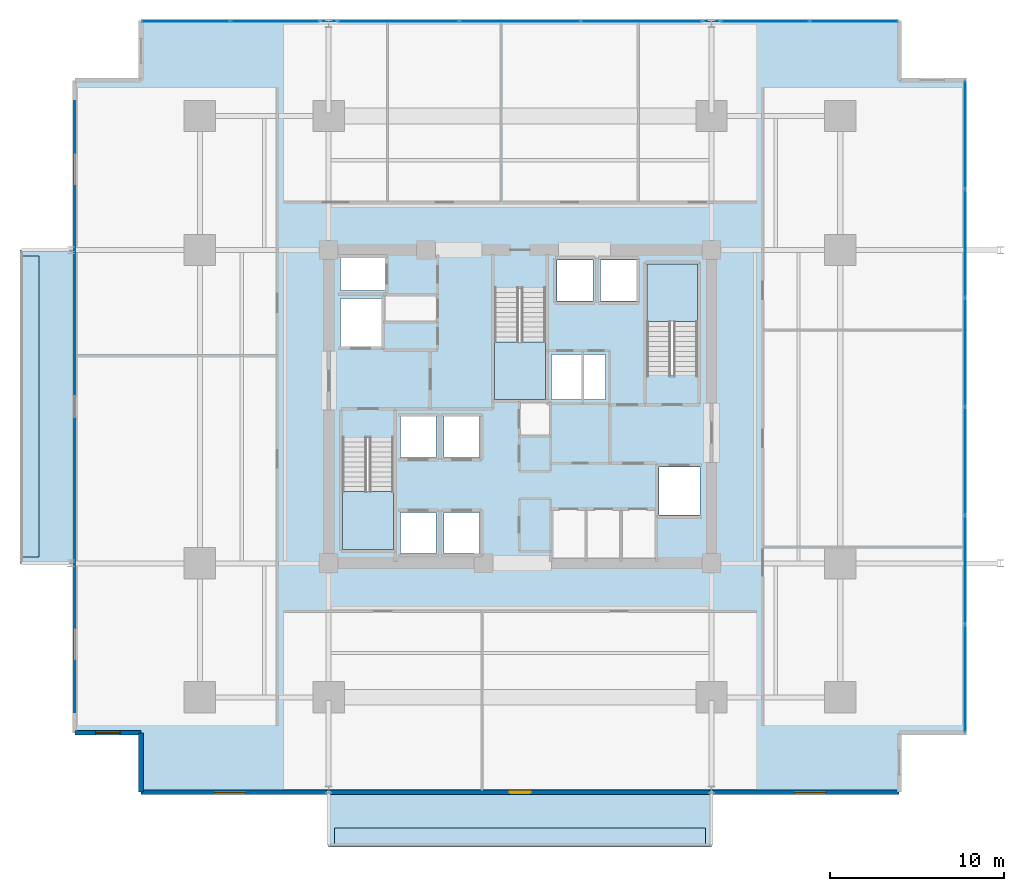
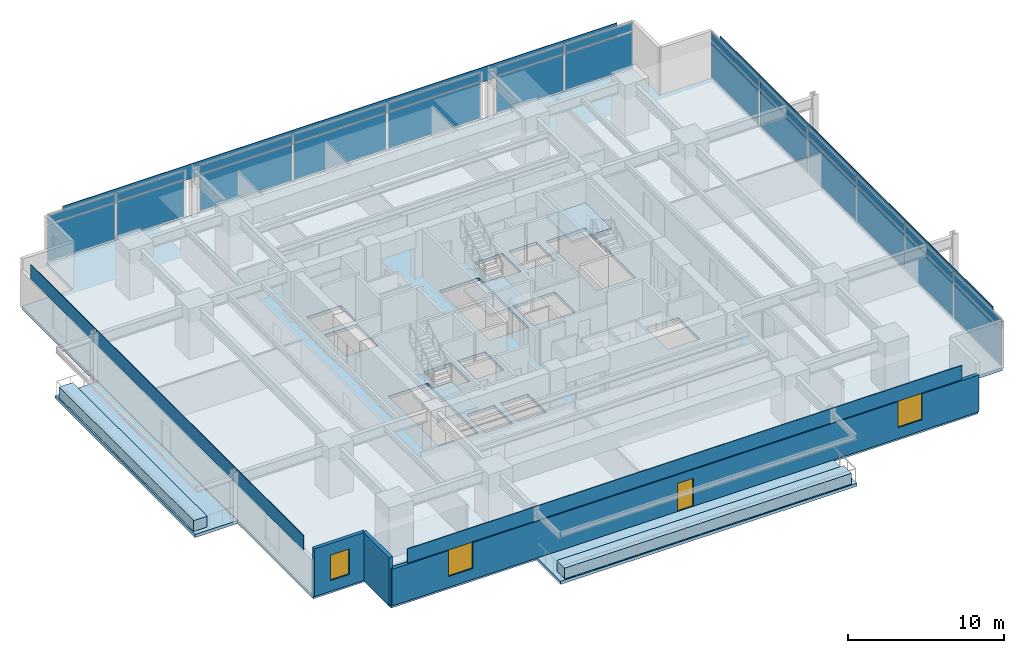
# One storey, part 13 of 22: 30 plates, 8 slabs, 3 walls, 3 windows, 1 door, 4 openings, 7 elements without a shape of their own.
"""IFC4 building model written with IfcOpenShell, lengths in metres."""

from ifc_helpers import new_model, si_unit, direction, frame, frame_2d, origin, origin_2d, place, context, subcontext, project, spatial, polyline, rectangle, outline, extrude, material, layer, layer_set, type_object, element, fill, aggregate, save


model = new_model("IFC4")

# Units and contexts
model_context = context("Model", 3, precision=1e-05, world=origin(), true_north=direction((0.0, 1.0)))
body_context = subcontext(model_context, "Body", "Model", "MODEL_VIEW")
ifc_project = project(units=[si_unit("LENGTHUNIT", "METRE"), si_unit("AREAUNIT", "SQUARE_METRE"), si_unit("VOLUMEUNIT", "CUBIC_METRE"), si_unit("PLANEANGLEUNIT", "RADIAN"), si_unit("MASSUNIT", "GRAM", prefix="KILO")], contexts=[model_context])

# Site, building, storey
site_placement = place(None, origin())
site = spatial("IfcSite", under=ifc_project, at=site_placement, CompositionType="ELEMENT")
building_placement = place(site_placement, origin())
building = spatial("IfcBuilding", under=site, at=building_placement, Name="Kovane Verandah Tower", CompositionType="ELEMENT")
storey_placement = place(building_placement, frame((0.0, 0.0, 51.60009765625)))
storey = spatial("IfcBuildingStorey", under=building, at=storey_placement, Name="L11", CompositionType="ELEMENT", Elevation=51.60009765625)

# Curtain wall, plates
ifc_material_1 = material(Name="Champagne Anodised Aluminium Frame with Low-E Clear Laminated Glass", Category="aluminium")
curtain_wall_type = type_object("IfcCurtainWallType", Name="CW-SYS-02-LOW", PredefinedType="NOTDEFINED", material=ifc_material_1)
curtain_wall_1_placement = place(storey_placement, origin())
curtain_wall_1 = element("IfcCurtainWall", 1, at=curtain_wall_1_placement, inside=storey, type_object=curtain_wall_type, Name="L11 E Unitised Curtain Wall", PredefinedType="NOTDEFINED")
ifc_material_2 = material(Name="Pale Champagne Anodised Aluminium Insulated Spandrel", Category="aluminium")
ifc_layer_1 = layer(ifc_material_2, 0.0400390625)
ifc_layer_set_1 = layer_set([ifc_layer_1], Name="Pale Champagne Anodised Aluminium Insulated Spandrel")
plate_type_1 = type_object("IfcPlateType", Name="PL-CW-SPD-40", PredefinedType="SHEET", material=ifc_layer_set_1)
plate_1_placement = place(storey_placement, frame((65.580322265625, 11.878173828125, 3.02978515625), z_axis=(0.0, 0.0, 1.0), x_axis=(0.0, 1.0, 0.0)))
plate_1 = element("IfcPlate", 2, at=plate_1_placement, type_object=plate_type_1, Name="L11 E Unitised Curtain Wall Spandrel Panel 1", PredefinedType="SHEET", context=body_context, shape_type="SweptSolid", body=[
    extrude(rectangle(XDim=6.108642578125, YDim=0.0400390625, at=origin_2d()), origin(), (0.0, 0.0, 1.0), 0.639892578125),
])
plate_2_placement = place(storey_placement, frame((65.580322265625, 18.126953125, 3.02978515625), z_axis=(0.0, 0.0, 1.0), x_axis=(0.0, 1.0, 0.0)))
plate_2 = element("IfcPlate", 3, at=plate_2_placement, type_object=plate_type_1, Name="L11 E Unitised Curtain Wall Spandrel Panel 2", PredefinedType="SHEET", context=body_context, shape_type="SweptSolid", body=[
    extrude(rectangle(XDim=6.108642578125, YDim=0.0400390625, at=origin_2d()), origin(), (0.0, 0.0, 1.0), 0.639892578125),
])
plate_3_placement = place(storey_placement, frame((65.580322265625, 24.37548828125, 3.02978515625), z_axis=(0.0, 0.0, 1.0), x_axis=(0.0, 1.0, 0.0)))
plate_3 = element("IfcPlate", 4, at=plate_3_placement, type_object=plate_type_1, Name="L11 E Unitised Curtain Wall Spandrel Panel 3", PredefinedType="SHEET", context=body_context, shape_type="SweptSolid", body=[
    extrude(rectangle(XDim=6.108642578125, YDim=0.0400390625, at=origin_2d()), origin(), (0.0, 0.0, 1.0), 0.639892578125),
])
plate_4_placement = place(storey_placement, frame((65.580322265625, 30.62451171875, 3.02978515625), z_axis=(0.0, 0.0, 1.0), x_axis=(0.0, 1.0, 0.0)))
plate_4 = element("IfcPlate", 5, at=plate_4_placement, type_object=plate_type_1, Name="L11 E Unitised Curtain Wall Spandrel Panel 4", PredefinedType="SHEET", context=body_context, shape_type="SweptSolid", body=[
    extrude(rectangle(XDim=6.108642578125, YDim=0.0400390625, at=origin_2d()), origin(), (0.0, 0.0, 1.0), 0.639892578125),
])
plate_5_placement = place(storey_placement, frame((65.580322265625, 36.873046875, 3.02978515625), z_axis=(0.0, 0.0, 1.0), x_axis=(0.0, 1.0, 0.0)))
plate_5 = element("IfcPlate", 6, at=plate_5_placement, type_object=plate_type_1, Name="L11 E Unitised Curtain Wall Spandrel Panel 5", PredefinedType="SHEET", context=body_context, shape_type="SweptSolid", body=[
    extrude(rectangle(XDim=6.108642578125, YDim=0.0400390625, at=origin_2d()), origin(), (0.0, 0.0, 1.0), 0.639892578125),
])
plate_6_placement = place(storey_placement, frame((65.580322265625, 43.121826171875, 3.02978515625), z_axis=(0.0, 0.0, 1.0), x_axis=(0.0, 1.0, 0.0)))
plate_6 = element("IfcPlate", 7, at=plate_6_placement, type_object=plate_type_1, Name="L11 E Unitised Curtain Wall Spandrel Panel 6", PredefinedType="SHEET", context=body_context, shape_type="SweptSolid", body=[
    extrude(rectangle(XDim=6.108642578125, YDim=0.0400390625, at=origin_2d()), origin(), (0.0, 0.0, 1.0), 0.639892578125),
])

curtain_wall_2_placement = place(storey_placement, origin())
curtain_wall_2 = element("IfcCurtainWall", 8, at=curtain_wall_2_placement, inside=storey, type_object=curtain_wall_type, Name="L11 N Unitised Curtain Wall-1", PredefinedType="NOTDEFINED")
plate_7_placement = place(storey_placement, frame((59.215087890625, 49.646240234375, 3.02978515625), z_axis=(0.0, 0.0, 1.0), x_axis=(-1.0, 0.0, 0.0)))
plate_7 = element("IfcPlate", 9, at=plate_7_placement, type_object=plate_type_1, Name="L11 N Unitised Curtain Wall-1 Spandrel Panel 1", PredefinedType="SHEET", context=body_context, shape_type="SweptSolid", body=[
    extrude(rectangle(XDim=4.990234375, YDim=0.0400390625, at=origin_2d()), origin(), (0.0, 0.0, 1.0), 0.639892578125),
])
plate_8_placement = place(storey_placement, frame((54.085205078125, 49.646240234375, 3.02978515625), z_axis=(0.0, 0.0, 1.0), x_axis=(-1.0, 0.0, 0.0)))
plate_8 = element("IfcPlate", 10, at=plate_8_placement, type_object=plate_type_1, Name="L11 N Unitised Curtain Wall-1 Spandrel Panel 2", PredefinedType="SHEET", context=body_context, shape_type="SweptSolid", body=[
    extrude(rectangle(XDim=4.989990234375, YDim=0.0400390625, at=origin_2d()), origin(), (0.0, 0.0, 1.0), 0.639892578125),
])

curtain_wall_3_placement = place(storey_placement, origin())
curtain_wall_3 = element("IfcCurtainWall", 11, at=curtain_wall_3_placement, inside=storey, type_object=curtain_wall_type, Name="L11 N Unitised Curtain Wall-2", PredefinedType="NOTDEFINED")
plate_9_placement = place(storey_placement, frame((46.98681640625, 49.646240234375, 3.02978515625), z_axis=(0.0, 0.0, 1.0), x_axis=(-1.0, 0.0, 0.0)))
plate_9 = element("IfcPlate", 12, at=plate_9_placement, type_object=plate_type_1, Name="L11 N Unitised Curtain Wall-2 Spandrel Panel 1", PredefinedType="SHEET", context=body_context, shape_type="SweptSolid", body=[
    extrude(rectangle(XDim=6.8466796875, YDim=0.0400390625, at=origin_2d()), origin(), (0.0, 0.0, 1.0), 0.639892578125),
])
plate_10_placement = place(storey_placement, frame((40.0, 49.646240234375, 3.02978515625), z_axis=(0.0, 0.0, 1.0), x_axis=(-1.0, 0.0, 0.0)))
plate_10 = element("IfcPlate", 13, at=plate_10_placement, type_object=plate_type_1, Name="L11 N Unitised Curtain Wall-2 Spandrel Panel 2", PredefinedType="SHEET", context=body_context, shape_type="SweptSolid", body=[
    extrude(rectangle(XDim=6.8466796875, YDim=0.0400390625, at=origin_2d()), origin(), (0.0, 0.0, 1.0), 0.639892578125),
])
plate_11_placement = place(storey_placement, frame((33.01318359375, 49.646240234375, 3.02978515625), z_axis=(0.0, 0.0, 1.0), x_axis=(-1.0, 0.0, 0.0)))
plate_11 = element("IfcPlate", 14, at=plate_11_placement, type_object=plate_type_1, Name="L11 N Unitised Curtain Wall-2 Spandrel Panel 3", PredefinedType="SHEET", context=body_context, shape_type="SweptSolid", body=[
    extrude(rectangle(XDim=6.8466796875, YDim=0.0400390625, at=origin_2d()), origin(), (0.0, 0.0, 1.0), 0.639892578125),
])

curtain_wall_4_placement = place(storey_placement, origin())
curtain_wall_4 = element("IfcCurtainWall", 15, at=curtain_wall_4_placement, inside=storey, type_object=curtain_wall_type, Name="L11 N Unitised Curtain Wall-3", PredefinedType="NOTDEFINED")
plate_12_placement = place(storey_placement, frame((25.914794921875, 49.646240234375, 3.02978515625), z_axis=(0.0, 0.0, 1.0), x_axis=(-1.0, 0.0, 0.0)))
plate_12 = element("IfcPlate", 16, at=plate_12_placement, type_object=plate_type_1, Name="L11 N Unitised Curtain Wall-3 Spandrel Panel 1", PredefinedType="SHEET", context=body_context, shape_type="SweptSolid", body=[
    extrude(rectangle(XDim=4.989990234375, YDim=0.0400390625, at=origin_2d()), origin(), (0.0, 0.0, 1.0), 0.639892578125),
])
plate_13_placement = place(storey_placement, frame((20.784912109375, 49.646240234375, 3.02978515625), z_axis=(0.0, 0.0, 1.0), x_axis=(-1.0, 0.0, 0.0)))
plate_13 = element("IfcPlate", 17, at=plate_13_placement, type_object=plate_type_1, Name="L11 N Unitised Curtain Wall-3 Spandrel Panel 2", PredefinedType="SHEET", context=body_context, shape_type="SweptSolid", body=[
    extrude(rectangle(XDim=4.989990234375, YDim=0.0400390625, at=origin_2d()), origin(), (0.0, 0.0, 1.0), 0.639892578125),
])

# Plate
ifc_material_3 = material(Name="Clear Low-E Laminated Double Glazing", Category="glass")
ifc_layer_2 = layer(ifc_material_3, 0.031982421875)
ifc_layer_set_2 = layer_set([ifc_layer_2], Name="Clear Low-E Laminated Double Glazing")
plate_type_2 = type_object("IfcPlateType", Name="PL-CW-VIS-32", PredefinedType="CURTAIN_PANEL", material=ifc_layer_set_2)
plate_14_placement = place(storey_placement, frame((65.580322265625, 11.878173828125, 0.099853515625), z_axis=(0.0, 0.0, 1.0), x_axis=(0.0, 1.0, 0.0)))
plate_14 = element("IfcPlate", 18, at=plate_14_placement, type_object=plate_type_2, Name="L11 E Unitised Curtain Wall Vision Panel 1", PredefinedType="CURTAIN_PANEL", context=body_context, shape_type="SweptSolid", body=[
    extrude(rectangle(XDim=6.108642578125, YDim=0.031982421875, at=origin_2d()), origin(), (0.0, 0.0, 1.0), 2.830078125),
])

plate_15_placement = place(storey_placement, frame((65.580322265625, 18.126953125, 0.099853515625), z_axis=(0.0, 0.0, 1.0), x_axis=(0.0, 1.0, 0.0)))
plate_15 = element("IfcPlate", 19, at=plate_15_placement, type_object=plate_type_2, Name="L11 E Unitised Curtain Wall Vision Panel 2", PredefinedType="CURTAIN_PANEL", context=body_context, shape_type="SweptSolid", body=[
    extrude(rectangle(XDim=6.108642578125, YDim=0.031982421875, at=origin_2d()), origin(), (0.0, 0.0, 1.0), 2.830078125),
])

plate_16_placement = place(storey_placement, frame((65.580322265625, 24.37548828125, 0.099853515625), z_axis=(0.0, 0.0, 1.0), x_axis=(0.0, 1.0, 0.0)))
plate_16 = element("IfcPlate", 20, at=plate_16_placement, type_object=plate_type_2, Name="L11 E Unitised Curtain Wall Vision Panel 3", PredefinedType="CURTAIN_PANEL", context=body_context, shape_type="SweptSolid", body=[
    extrude(rectangle(XDim=6.108642578125, YDim=0.031982421875, at=origin_2d()), origin(), (0.0, 0.0, 1.0), 2.830078125),
])

plate_17_placement = place(storey_placement, frame((65.580322265625, 30.62451171875, 0.099853515625), z_axis=(0.0, 0.0, 1.0), x_axis=(0.0, 1.0, 0.0)))
plate_17 = element("IfcPlate", 21, at=plate_17_placement, type_object=plate_type_2, Name="L11 E Unitised Curtain Wall Vision Panel 4", PredefinedType="CURTAIN_PANEL", context=body_context, shape_type="SweptSolid", body=[
    extrude(rectangle(XDim=6.108642578125, YDim=0.031982421875, at=origin_2d()), origin(), (0.0, 0.0, 1.0), 2.830078125),
])

plate_18_placement = place(storey_placement, frame((65.580322265625, 36.873046875, 0.099853515625), z_axis=(0.0, 0.0, 1.0), x_axis=(0.0, 1.0, 0.0)))
plate_18 = element("IfcPlate", 22, at=plate_18_placement, type_object=plate_type_2, Name="L11 E Unitised Curtain Wall Vision Panel 5", PredefinedType="CURTAIN_PANEL", context=body_context, shape_type="SweptSolid", body=[
    extrude(rectangle(XDim=6.108642578125, YDim=0.031982421875, at=origin_2d()), origin(), (0.0, 0.0, 1.0), 2.830078125),
])

plate_19_placement = place(storey_placement, frame((65.580322265625, 43.121826171875, 0.099853515625), z_axis=(0.0, 0.0, 1.0), x_axis=(0.0, 1.0, 0.0)))
plate_19 = element("IfcPlate", 23, at=plate_19_placement, type_object=plate_type_2, Name="L11 E Unitised Curtain Wall Vision Panel 6", PredefinedType="CURTAIN_PANEL", context=body_context, shape_type="SweptSolid", body=[
    extrude(rectangle(XDim=6.108642578125, YDim=0.031982421875, at=origin_2d()), origin(), (0.0, 0.0, 1.0), 2.830078125),
])

aggregate(curtain_wall_1, [plate_14, plate_1, plate_15, plate_2, plate_16, plate_3, plate_17, plate_4, plate_18, plate_5, plate_19, plate_6])

plate_20_placement = place(storey_placement, frame((59.215087890625, 49.646240234375, 0.099853515625), z_axis=(0.0, 0.0, 1.0), x_axis=(-1.0, 0.0, 0.0)))
plate_20 = element("IfcPlate", 24, at=plate_20_placement, type_object=plate_type_2, Name="L11 N Unitised Curtain Wall-1 Vision Panel 1", PredefinedType="CURTAIN_PANEL", context=body_context, shape_type="SweptSolid", body=[
    extrude(rectangle(XDim=4.990234375, YDim=0.031982421875, at=origin_2d()), origin(), (0.0, 0.0, 1.0), 2.830078125),
])

plate_21_placement = place(storey_placement, frame((54.085205078125, 49.646240234375, 0.099853515625), z_axis=(0.0, 0.0, 1.0), x_axis=(-1.0, 0.0, 0.0)))
plate_21 = element("IfcPlate", 25, at=plate_21_placement, type_object=plate_type_2, Name="L11 N Unitised Curtain Wall-1 Vision Panel 2", PredefinedType="CURTAIN_PANEL", context=body_context, shape_type="SweptSolid", body=[
    extrude(rectangle(XDim=4.989990234375, YDim=0.031982421875, at=origin_2d()), origin(), (0.0, 0.0, 1.0), 2.830078125),
])

aggregate(curtain_wall_2, [plate_20, plate_7, plate_21, plate_8])

plate_22_placement = place(storey_placement, frame((46.98681640625, 49.646240234375, 0.099853515625), z_axis=(0.0, 0.0, 1.0), x_axis=(-1.0, 0.0, 0.0)))
plate_22 = element("IfcPlate", 26, at=plate_22_placement, type_object=plate_type_2, Name="L11 N Unitised Curtain Wall-2 Vision Panel 1", PredefinedType="CURTAIN_PANEL", context=body_context, shape_type="SweptSolid", body=[
    extrude(rectangle(XDim=6.8466796875, YDim=0.031982421875, at=origin_2d()), origin(), (0.0, 0.0, 1.0), 2.830078125),
])

plate_23_placement = place(storey_placement, frame((40.0, 49.646240234375, 0.099853515625), z_axis=(0.0, 0.0, 1.0), x_axis=(-1.0, 0.0, 0.0)))
plate_23 = element("IfcPlate", 27, at=plate_23_placement, type_object=plate_type_2, Name="L11 N Unitised Curtain Wall-2 Vision Panel 2", PredefinedType="CURTAIN_PANEL", context=body_context, shape_type="SweptSolid", body=[
    extrude(rectangle(XDim=6.8466796875, YDim=0.031982421875, at=origin_2d()), origin(), (0.0, 0.0, 1.0), 2.830078125),
])

plate_24_placement = place(storey_placement, frame((33.01318359375, 49.646240234375, 0.099853515625), z_axis=(0.0, 0.0, 1.0), x_axis=(-1.0, 0.0, 0.0)))
plate_24 = element("IfcPlate", 28, at=plate_24_placement, type_object=plate_type_2, Name="L11 N Unitised Curtain Wall-2 Vision Panel 3", PredefinedType="CURTAIN_PANEL", context=body_context, shape_type="SweptSolid", body=[
    extrude(rectangle(XDim=6.8466796875, YDim=0.031982421875, at=origin_2d()), origin(), (0.0, 0.0, 1.0), 2.830078125),
])

aggregate(curtain_wall_3, [plate_22, plate_9, plate_23, plate_10, plate_24, plate_11])

plate_25_placement = place(storey_placement, frame((25.914794921875, 49.646240234375, 0.099853515625), z_axis=(0.0, 0.0, 1.0), x_axis=(-1.0, 0.0, 0.0)))
plate_25 = element("IfcPlate", 29, at=plate_25_placement, type_object=plate_type_2, Name="L11 N Unitised Curtain Wall-3 Vision Panel 1", PredefinedType="CURTAIN_PANEL", context=body_context, shape_type="SweptSolid", body=[
    extrude(rectangle(XDim=4.989990234375, YDim=0.031982421875, at=origin_2d()), origin(), (0.0, 0.0, 1.0), 2.830078125),
])

plate_26_placement = place(storey_placement, frame((20.784912109375, 49.646240234375, 0.099853515625), z_axis=(0.0, 0.0, 1.0), x_axis=(-1.0, 0.0, 0.0)))
plate_26 = element("IfcPlate", 30, at=plate_26_placement, type_object=plate_type_2, Name="L11 N Unitised Curtain Wall-3 Vision Panel 2", PredefinedType="CURTAIN_PANEL", context=body_context, shape_type="SweptSolid", body=[
    extrude(rectangle(XDim=4.989990234375, YDim=0.031982421875, at=origin_2d()), origin(), (0.0, 0.0, 1.0), 2.830078125),
])

aggregate(curtain_wall_4, [plate_25, plate_12, plate_26, plate_13])

# Plates
ifc_material_4 = material(Name="Perforated Pale Champagne Anodised Aluminium Solar Screen", Category="aluminium")
ifc_layer_3 = layer(ifc_material_4, 0.050048828125)
ifc_layer_set_3 = layer_set([ifc_layer_3], Name="Perforated Pale Champagne Anodised Aluminium Solar Screen")
plate_type_3 = type_object("IfcPlateType", Name="PL-SCREEN-50", PredefinedType="USERDEFINED", material=ifc_layer_set_3)
plate_27_placement = place(storey_placement, frame((40.0, 5.3388671875, 2.85986328125), z_axis=(0.0, 0.0, 1.0), x_axis=(1.0, 0.0, 0.0)))
element("IfcPlate", 31, at=plate_27_placement, inside=storey, type_object=plate_type_3, Name="L11 S Perforated Champagne-Gold Solar Screen", ObjectType="SCREEN", PredefinedType="USERDEFINED", context=body_context, shape_type="SweptSolid", body=[
    extrude(rectangle(XDim=41.160888671875, YDim=0.050048828125, at=origin_2d()), origin(), (0.0, 0.0, 1.0), 1.14990234375),
])
plate_28_placement = place(storey_placement, frame((65.59521484375, 27.5, 2.85986328125), z_axis=(0.0, 0.0, 1.0), x_axis=(0.0, 1.0, 0.0)))
element("IfcPlate", 32, at=plate_28_placement, inside=storey, type_object=plate_type_3, Name="L11 E Perforated Champagne-Gold Solar Screen", ObjectType="SCREEN", PredefinedType="USERDEFINED", context=body_context, shape_type="SweptSolid", body=[
    extrude(rectangle(XDim=35.092041015625, YDim=0.050048828125, at=origin_2d()), origin(), (0.0, 0.0, 1.0), 1.14990234375),
])
plate_29_placement = place(storey_placement, frame((40.0, 49.6611328125, 2.85986328125), z_axis=(0.0, 0.0, 1.0), x_axis=(-1.0, 0.0, 0.0)))
element("IfcPlate", 33, at=plate_29_placement, inside=storey, type_object=plate_type_3, Name="L11 N Perforated Champagne-Gold Solar Screen", ObjectType="SCREEN", PredefinedType="USERDEFINED", context=body_context, shape_type="SweptSolid", body=[
    extrude(rectangle(XDim=41.160888671875, YDim=0.050048828125, at=origin_2d()), origin(), (0.0, 0.0, 1.0), 1.14990234375),
])
plate_30_placement = place(storey_placement, frame((14.40478515625, 27.5, 2.85986328125), z_axis=(0.0, 0.0, 1.0), x_axis=(0.0, -1.0, 0.0)))
element("IfcPlate", 34, at=plate_30_placement, inside=storey, type_object=plate_type_3, Name="L11 W Perforated Champagne-Gold Solar Screen", ObjectType="SCREEN", PredefinedType="USERDEFINED", context=body_context, shape_type="SweptSolid", body=[
    extrude(rectangle(XDim=35.092041015625, YDim=0.050048828125, at=origin_2d()), origin(), (0.0, 0.0, 1.0), 1.14990234375),
])

# Slabs
ifc_material_5 = material(Name="Concrete C45/55", Category="concrete")
ifc_layer_4 = layer(ifc_material_5, 0.239990234375)
ifc_layer_set_4 = layer_set([ifc_layer_4], Name="Concrete C45/55")
slab_type_1 = type_object("IfcSlabType", Name="SL-BALC-240", PredefinedType="FLOOR", material=ifc_layer_set_4)
slab_1_placement = place(storey_placement, frame((0.0, 0.0, -0.239990234375)))
element("IfcSlab", 35, at=slab_1_placement, inside=storey, type_object=slab_type_1, Name="L11 S Planted Verandah Balcony Slab", PredefinedType="FLOOR", context=body_context, shape_type="SweptSolid", body=[
    extrude(outline(polyline([(29.0, 2.203857421875), (51.0, 2.203857421875), (51.0, 5.353759765625), (29.0, 5.353759765625), (29.0, 2.203857421875)])), origin(), (0.0, 0.0, 1.0), 0.239990234375),
])
slab_2_placement = place(storey_placement, frame((0.0, 0.0, -0.239990234375)))
element("IfcSlab", 36, at=slab_2_placement, inside=storey, type_object=slab_type_1, Name="L11 W Planted Verandah Balcony Slab", PredefinedType="FLOOR", context=body_context, shape_type="SweptSolid", body=[
    extrude(outline(polyline([(11.269775390625, 18.5), (14.419677734375, 18.5), (14.419677734375, 36.5), (11.269775390625, 36.5), (11.269775390625, 18.5)])), origin(), (0.0, 0.0, 1.0), 0.239990234375),
])

# Stair, slab
stair_type = type_object("IfcStairType", Name="ST-CORE-1380", PredefinedType="HALF_TURN_STAIR", material=ifc_material_5)
stair_1_placement = place(storey_placement, origin())
stair_1 = element("IfcStair", 37, at=stair_1_placement, inside=storey, type_object=stair_type, Name="L11 Exit Stair ST-01", PredefinedType="HALF_TURN_STAIR")
ifc_layer_5 = layer(ifc_material_5, 0.199951171875)
ifc_layer_set_5 = layer_set([ifc_layer_5], Name="Concrete C45/55")
slab_type_2 = type_object("IfcSlabType", Name="SL-LAND-200", PredefinedType="LANDING", material=ifc_layer_set_5)
slab_3_placement = place(storey_placement, frame((0.0, 0.0, 1.7998046875)))
slab_3 = element("IfcSlab", 38, at=slab_3_placement, type_object=slab_type_2, Name="ST-01 landing 1", PredefinedType="LANDING", context=body_context, shape_type="SweptSolid", body=[
    extrude(outline(polyline([(29.800048828125, 22.614990234375), (29.800048828125, 19.300048828125), (32.719970703125, 19.300048828125), (32.719970703125, 22.614990234375), (29.800048828125, 22.614990234375)])), origin(), (0.0, 0.0, 1.0), 0.2001953125),
])
aggregate(stair_1, [slab_3])

stair_2_placement = place(storey_placement, origin())
stair_2 = element("IfcStair", 39, at=stair_2_placement, inside=storey, type_object=stair_type, Name="L11 Exit Stair ST-02", PredefinedType="HALF_TURN_STAIR")
slab_4_placement = place(storey_placement, frame((0.0, 0.0, 1.7998046875)))
slab_4 = element("IfcSlab", 40, at=slab_4_placement, type_object=slab_type_2, Name="ST-02 landing 1", PredefinedType="LANDING", context=body_context, shape_type="SweptSolid", body=[
    extrude(outline(polyline([(50.199951171875, 32.385009765625), (50.199951171875, 35.699951171875), (47.280029296875, 35.699951171875), (47.280029296875, 32.385009765625), (50.199951171875, 32.385009765625)])), origin(), (0.0, 0.0, 1.0), 0.2001953125),
])
aggregate(stair_2, [slab_4])

stair_3_placement = place(storey_placement, origin())
stair_3 = element("IfcStair", 41, at=stair_3_placement, inside=storey, type_object=stair_type, Name="L11 Exit Stair ST-03", PredefinedType="HALF_TURN_STAIR")
slab_5_placement = place(storey_placement, frame((0.0, 0.0, 1.7998046875)))
slab_5 = element("IfcSlab", 42, at=slab_5_placement, type_object=slab_type_2, Name="ST-03 landing 1", PredefinedType="LANDING", context=body_context, shape_type="SweptSolid", body=[
    extrude(outline(polyline([(38.5400390625, 31.215087890625), (38.5400390625, 27.89990234375), (41.4599609375, 27.89990234375), (41.4599609375, 31.215087890625), (38.5400390625, 31.215087890625)])), origin(), (0.0, 0.0, 1.0), 0.2001953125),
])
aggregate(stair_3, [slab_5])

# Slabs
ifc_material_6 = material(Name="Architectural Precast Concrete C45/55 Planter Trough", Category="concrete")
ifc_layer_6 = layer(ifc_material_6, 0.219970703125)
ifc_layer_set_6 = layer_set([ifc_layer_6], Name="Architectural Precast Concrete C45/55 Planter Trough")
slab_type_3 = type_object("IfcSlabType", Name="SL-PLANTER-220", PredefinedType="USERDEFINED", material=ifc_layer_set_6)
slab_6_placement = place(storey_placement, origin())
element("IfcSlab", 43, at=slab_6_placement, inside=storey, type_object=slab_type_3, Name="L11 S Structural Tree Planter", ObjectType="PLANTER", PredefinedType="USERDEFINED", context=body_context, shape_type="SweptSolid", body=[
    extrude(outline(polyline([(29.35009765625, 2.3037109375), (50.64990234375, 2.3037109375), (50.64990234375, 3.3037109375), (29.35009765625, 3.3037109375), (29.35009765625, 2.3037109375)])), origin(), (0.0, 0.0, 1.0), 0.849853515625),
])
slab_7_placement = place(storey_placement, origin())
element("IfcSlab", 44, at=slab_7_placement, inside=storey, type_object=slab_type_3, Name="L11 W Structural Tree Planter", ObjectType="PLANTER", PredefinedType="USERDEFINED", context=body_context, shape_type="SweptSolid", body=[
    extrude(outline(polyline([(11.36962890625, 18.85009765625), (12.36962890625, 18.85009765625), (12.36962890625, 36.14990234375), (11.36962890625, 36.14990234375), (11.36962890625, 18.85009765625)])), origin(), (0.0, 0.0, 1.0), 0.849853515625),
])
ifc_layer_7 = layer(ifc_material_5, 0.239990234375)
ifc_layer_set_7 = layer_set([ifc_layer_7], Name="Concrete C45/55")
slab_type_4 = type_object("IfcSlabType", Name="SL-TYP-240", PredefinedType="FLOOR", material=ifc_layer_set_7)
slab_8_placement = place(storey_placement, frame((0.0, 0.0, -0.239990234375)))
element("IfcSlab", 45, at=slab_8_placement, inside=storey, type_object=slab_type_4, Name="L11 Structural Floor Slab", PredefinedType="FLOOR", context=body_context, shape_type="SweptSolid", body=[
    extrude(outline(polyline([(18.2197265625, 5.353759765625), (61.7802734375, 5.353759765625), (61.7802734375, 8.75390625), (65.580322265625, 8.75390625), (65.580322265625, 46.24609375), (61.7802734375, 46.24609375), (61.7802734375, 49.646240234375), (18.2197265625, 49.646240234375), (18.2197265625, 46.24609375), (14.419677734375, 46.24609375), (14.419677734375, 8.75390625), (18.2197265625, 8.75390625), (18.2197265625, 5.353759765625)]), holes=[polyline([(29.800048828125, 19.300048828125), (32.719970703125, 19.300048828125), (32.719970703125, 25.705078125), (29.800048828125, 25.705078125), (29.800048828125, 19.300048828125)]), polyline([(47.280029296875, 29.294921875), (50.199951171875, 29.294921875), (50.199951171875, 35.699951171875), (47.280029296875, 35.699951171875), (47.280029296875, 29.294921875)]), polyline([(38.5400390625, 27.89990234375), (41.4599609375, 27.89990234375), (41.4599609375, 34.304931640625), (38.5400390625, 34.304931640625), (38.5400390625, 27.89990234375)]), polyline([(29.669921875, 30.969970703125), (32.030029296875, 30.969970703125), (32.030029296875, 33.72998046875), (29.669921875, 33.72998046875), (29.669921875, 30.969970703125)]), polyline([(47.969970703125, 21.27001953125), (50.330078125, 21.27001953125), (50.330078125, 24.030029296875), (47.969970703125, 24.030029296875), (47.969970703125, 21.27001953125)]), polyline([(29.669921875, 34.169921875), (32.22998046875, 34.169921875), (32.22998046875, 36.030029296875), (29.669921875, 36.030029296875), (29.669921875, 34.169921875)]), polyline([(33.1201171875, 19.070068359375), (35.179931640625, 19.070068359375), (35.179931640625, 21.429931640625), (33.1201171875, 21.429931640625), (33.1201171875, 19.070068359375)]), polyline([(35.6201171875, 19.070068359375), (37.679931640625, 19.070068359375), (37.679931640625, 21.429931640625), (35.6201171875, 21.429931640625), (35.6201171875, 19.070068359375)]), polyline([(33.1201171875, 24.570068359375), (35.179931640625, 24.570068359375), (35.179931640625, 26.929931640625), (33.1201171875, 26.929931640625), (33.1201171875, 24.570068359375)]), polyline([(35.6201171875, 24.570068359375), (37.679931640625, 24.570068359375), (37.679931640625, 26.929931640625), (35.6201171875, 26.929931640625), (35.6201171875, 24.570068359375)]), polyline([(42.1201171875, 33.570068359375), (44.179931640625, 33.570068359375), (44.179931640625, 35.929931640625), (42.1201171875, 35.929931640625), (42.1201171875, 33.570068359375)]), polyline([(44.6201171875, 33.570068359375), (46.679931640625, 33.570068359375), (46.679931640625, 35.929931640625), (44.6201171875, 35.929931640625), (44.6201171875, 33.570068359375)]), polyline([(41.800048828125, 27.89990234375), (44.89990234375, 27.89990234375), (44.89990234375, 30.5), (41.800048828125, 30.5), (41.800048828125, 27.89990234375)])]), origin(), (0.0, 0.0, 1.0), 0.239990234375),
])

# Wall, openings, door, windows
ifc_material_7 = material(Name="Concrete C45/55 Insulated Spandrel Wall", Category="concrete")
ifc_layer_8 = layer(ifc_material_7, 0.260009765625)
ifc_layer_set_8 = layer_set([ifc_layer_8], Name="Concrete C45/55 Insulated Spandrel Wall")
wall_type = type_object("IfcWallType", Name="WL-SPANDREL-260", PredefinedType="PARAPET", material=ifc_layer_set_8)
wall_1_placement = place(storey_placement, frame((18.2197265625, 5.353759765625, 0.0), z_axis=(0.0, 0.0, 1.0), x_axis=(1.0, 0.0, 0.0)))
wall_1 = element("IfcWall", 46, at=wall_1_placement, inside=storey, type_object=wall_type, Name="L11 S Verandah Access Facade Wall", PredefinedType="PARAPET", context=body_context, shape_type="SweptSolid", body=[
    extrude(rectangle(XDim=43.560546875, YDim=0.260009765625, at=frame_2d((21.7802734375, 0.0))), origin(), (0.0, 0.0, 1.0), 2.88916015625),
])
opening_1_placement = place(wall_1_placement, frame((4.199951171875, 0.0, 0.85009765625)))
opening_1 = element("IfcOpeningElement", 47, at=opening_1_placement, cuts=wall_1, Name="Opening W-03", PredefinedType="OPENING", context=body_context, shape_type="SweptSolid", body=[
    extrude(rectangle(XDim=1.800048828125, YDim=2.199951171875, at=frame_2d((0.89990234375, 1.10009765625))), frame((0.0, 0.1298828125, 0.0), z_axis=(0.0, -1.0, 0.0), x_axis=(1.0, 0.0, 0.0)), (0.0, 0.0, 1.0), 0.260009765625),
])
opening_2_placement = place(wall_1_placement, frame((21.180419921875, 0.0, 0.0)))
opening_2 = element("IfcOpeningElement", 48, at=opening_2_placement, cuts=wall_1, Name="Opening DR-L11-001", PredefinedType="OPENING", context=body_context, shape_type="SweptSolid", body=[
    extrude(rectangle(XDim=1.199951171875, YDim=2.199951171875, at=frame_2d((0.60009765625, 1.10009765625))), frame((0.0, 0.1298828125, 0.0), z_axis=(0.0, -1.0, 0.0), x_axis=(1.0, 0.0, 0.0)), (0.0, 0.0, 1.0), 0.260009765625),
])
opening_3_placement = place(wall_1_placement, frame((37.560546875, 0.0, 0.85009765625)))
opening_3 = element("IfcOpeningElement", 49, at=opening_3_placement, cuts=wall_1, Name="Opening W-03", PredefinedType="OPENING", context=body_context, shape_type="SweptSolid", body=[
    extrude(rectangle(XDim=1.800048828125, YDim=2.199951171875, at=frame_2d((0.89990234375, 1.10009765625))), frame((0.0, 0.1298828125, 0.0), z_axis=(0.0, -1.0, 0.0), x_axis=(1.0, 0.0, 0.0)), (0.0, 0.0, 1.0), 0.260009765625),
])
ifc_material_8 = material(Name="Cyclone-Rated Glazed Balcony Leaf Door", Category="aluminium")
door_type = type_object("IfcDoorType", Name="DR-BAL-1200x2200", OperationType="SINGLE_SWING_LEFT", PredefinedType="DOOR", material=ifc_material_8)
door_placement = place(opening_2_placement, origin())
door = element("IfcDoor", 50, at=door_placement, inside=storey, type_object=door_type, Name="L11 S Planted Balcony Access Door", OperationType="SINGLE_SWING_LEFT", OverallHeight=2.199951171875, OverallWidth=1.199951171875, PredefinedType="DOOR", context=body_context, shape_type="SweptSolid", body=[
    extrude(rectangle(XDim=1.199951171875, YDim=2.199951171875, at=frame_2d((0.60009765625, 1.10009765625))), frame((0.0, 0.02490234375, 0.0), z_axis=(0.0, -1.0, 0.0), x_axis=(1.0, 0.0, 0.0)), (0.0, 0.0, 1.0), 0.050048828125),
])
fill(opening_2, door)
ifc_material_9 = material(Name="Clear Low-E Laminated Double Glazing in Anodised Frame", Category="glass")
window_type_1 = type_object("IfcWindowType", Name="WN-NOTCH-1800x2200", PartitioningType="SINGLE_PANEL", PredefinedType="WINDOW", material=ifc_material_9)
window_1_placement = place(opening_1_placement, origin())
window_1 = element("IfcWindow", 51, at=window_1_placement, inside=storey, type_object=window_type_1, Name="L11 S Verandah View Window 1", OverallHeight=2.199951171875, OverallWidth=1.800048828125, PartitioningType="SINGLE_PANEL", PredefinedType="WINDOW", context=body_context, shape_type="SweptSolid", body=[
    extrude(rectangle(XDim=1.800048828125, YDim=2.199951171875, at=frame_2d((0.89990234375, 1.10009765625))), frame((0.0, 0.030029296875, 0.0), z_axis=(0.0, -1.0, 0.0), x_axis=(1.0, 0.0, 0.0)), (0.0, 0.0, 1.0), 0.06005859375),
])
fill(opening_1, window_1)
window_2_placement = place(opening_3_placement, origin())
window_2 = element("IfcWindow", 52, at=window_2_placement, inside=storey, type_object=window_type_1, Name="L11 S Verandah View Window 2", OverallHeight=2.199951171875, OverallWidth=1.800048828125, PartitioningType="SINGLE_PANEL", PredefinedType="WINDOW", context=body_context, shape_type="SweptSolid", body=[
    extrude(rectangle(XDim=1.800048828125, YDim=2.199951171875, at=frame_2d((0.89990234375, 1.10009765625))), frame((0.0, 0.030029296875, 0.0), z_axis=(0.0, -1.0, 0.0), x_axis=(1.0, 0.0, 0.0)), (0.0, 0.0, 1.0), 0.06005859375),
])
fill(opening_3, window_2)

# Wall, opening, window
wall_2_placement = place(storey_placement, frame((14.419677734375, 8.75390625, 0.0), z_axis=(0.0, 0.0, 1.0), x_axis=(1.0, 0.0, 0.0)))
wall_2 = element("IfcWall", 53, at=wall_2_placement, inside=storey, type_object=wall_type, Name="L11 SW Notch Cheek Wall 1", PredefinedType="PARAPET", context=body_context, shape_type="SweptSolid", body=[
    extrude(rectangle(XDim=3.800048828125, YDim=0.260009765625, at=frame_2d((1.89990234375, 0.0))), origin(), (0.0, 0.0, 1.0), 3.760009765625),
])
opening_4_placement = place(wall_2_placement, frame((1.199951171875, 0.0, 0.85009765625)))
opening_4 = element("IfcOpeningElement", 54, at=opening_4_placement, cuts=wall_2, Name="Opening W-01", PredefinedType="OPENING", context=body_context, shape_type="SweptSolid", body=[
    extrude(rectangle(XDim=1.39990234375, YDim=2.0, at=frame_2d((0.699951171875, 1.0))), frame((0.0, 0.1298828125, 0.0), z_axis=(0.0, -1.0, 0.0), x_axis=(1.0, 0.0, 0.0)), (0.0, 0.0, 1.0), 0.260009765625),
])
window_type_2 = type_object("IfcWindowType", Name="WN-OPER-1400x2000", PartitioningType="SINGLE_PANEL", PredefinedType="WINDOW", material=ifc_material_9)
window_3_placement = place(opening_4_placement, origin())
window_3 = element("IfcWindow", 55, at=window_3_placement, inside=storey, type_object=window_type_2, Name="L11 SW Re-Entrant Corner Operable Window", OverallHeight=2.0, OverallWidth=1.39990234375, PartitioningType="SINGLE_PANEL", PredefinedType="WINDOW", context=body_context, shape_type="SweptSolid", body=[
    extrude(rectangle(XDim=1.39990234375, YDim=2.0, at=frame_2d((0.699951171875, 1.0))), frame((0.0, 0.030029296875, 0.0), z_axis=(0.0, -1.0, 0.0), x_axis=(1.0, 0.0, 0.0)), (0.0, 0.0, 1.0), 0.06005859375),
])
fill(opening_4, window_3)

# Wall
wall_3_placement = place(storey_placement, frame((18.2197265625, 8.75390625, 0.0), z_axis=(0.0, 0.0, 1.0), x_axis=(0.0, -1.0, 0.0)))
element("IfcWall", 56, at=wall_3_placement, inside=storey, type_object=wall_type, Name="L11 SW Notch Cheek Wall 2", PredefinedType="PARAPET", context=body_context, shape_type="SweptSolid", body=[
    extrude(rectangle(XDim=3.400146484375, YDim=0.260009765625, at=frame_2d((1.7001953125, 0.0))), origin(), (0.0, 0.0, 1.0), 3.760009765625),
])

save(model, "model.ifc")
